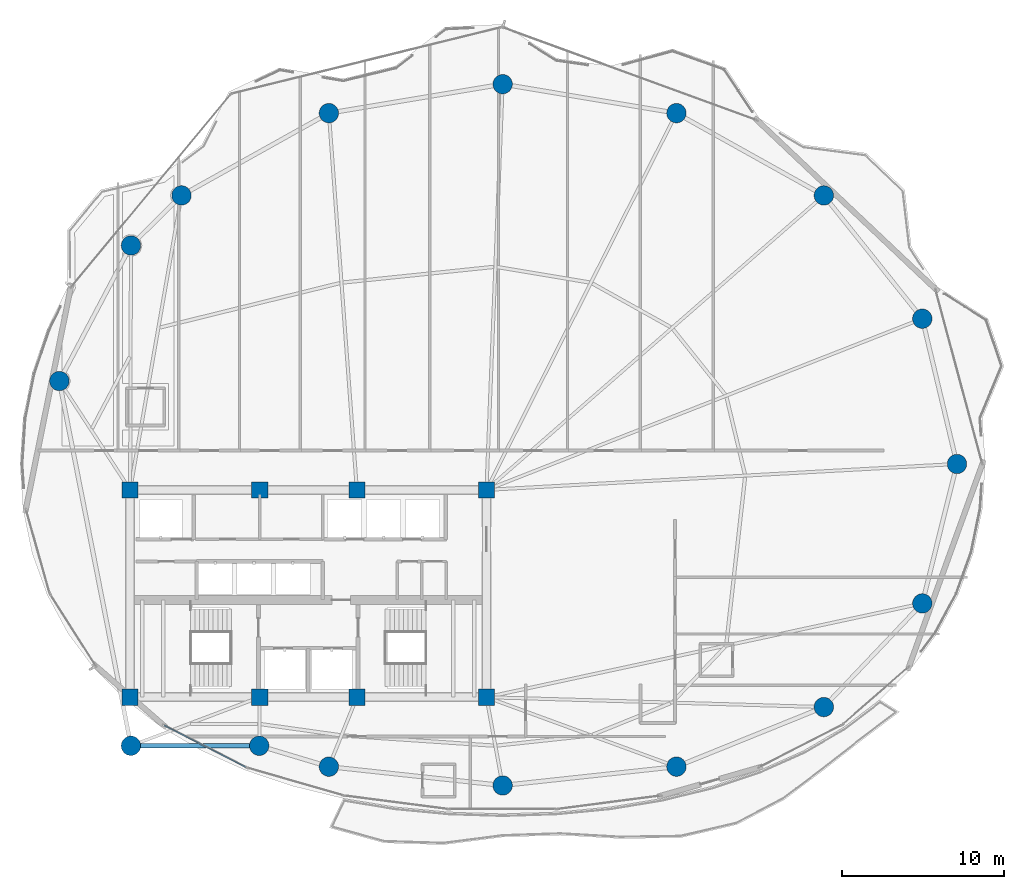
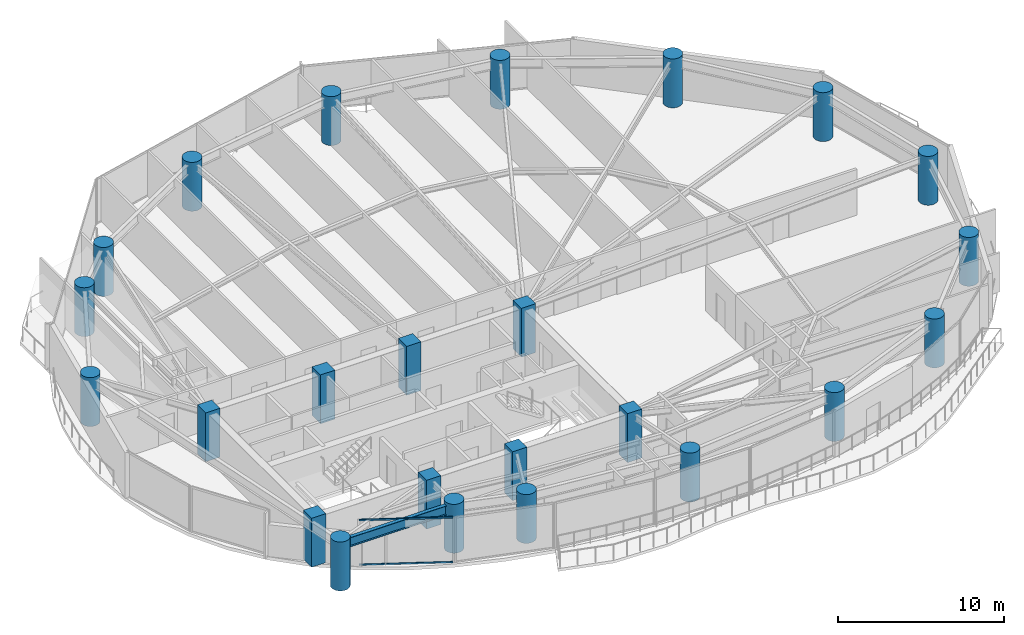
# One storey, part 1 of 28: 24 columns, 2 members, 1 beam, 1 element without a shape of its own.
"""IFC4 building model written with IfcOpenShell, lengths in metres."""

from ifc_helpers import new_model, si_unit, direction, frame, origin, origin_2d, place, context, subcontext, project, spatial, rectangle, hollow_rectangle, circle, i_section, extrude, material, layer, layer_set, material_profile, profile_set, type_object, element, aggregate, save


model = new_model("IFC4")

# Units and contexts
model_context = context("Model", 3, precision=1e-05, world=origin(), true_north=direction((0.0, 1.0)))
body_context = subcontext(model_context, "Body", "Model", "MODEL_VIEW")
ifc_project = project(units=[si_unit("LENGTHUNIT", "METRE"), si_unit("AREAUNIT", "SQUARE_METRE"), si_unit("VOLUMEUNIT", "CUBIC_METRE"), si_unit("PLANEANGLEUNIT", "RADIAN"), si_unit("MASSUNIT", "GRAM", prefix="KILO")], contexts=[model_context])

# Site, building, storey
site_placement = place(None, origin())
site = spatial("IfcSite", under=ifc_project, at=site_placement, CompositionType="ELEMENT")
building_placement = place(site_placement, origin())
building = spatial("IfcBuilding", under=site, at=building_placement, Name="Kazevale Care Tower and Concert Hall", CompositionType="ELEMENT")
storey_placement = place(building_placement, frame((0.0, 0.0, 120.60009765625)))
storey = spatial("IfcBuildingStorey", under=building, at=storey_placement, Name="L31", CompositionType="ELEMENT", Elevation=120.60009765625)

# Columns
ifc_material_1 = material(Name="Concrete C60", Category="concrete")
ifc_material_profile_1 = material_profile(ifc_material_1, rectangle(XDim=1.0, YDim=1.0, at=origin_2d()), Name="RC-SQ1000")
ifc_profile_set_1 = profile_set([ifc_material_profile_1], Name="Concrete C60")
column_type_1 = type_object("IfcColumnType", Name="Core Column SQ1000 C60", PredefinedType="COLUMN", material=ifc_profile_set_1)
for number, where, z_axis, x_axis, name in (
    (1, (22.0, 23.60009765625, 0.0), (0.0, 0.0, 1.0), (1.0, 0.0, 0.0), "col:L31:CC-01"),
    (2, (30.0, 23.60009765625, 0.0), (0.0, 0.0, 1.0), (1.0, 0.0, 0.0), "col:L31:CC-02"),
    (3, (36.0, 23.60009765625, 0.0), (0.0, 0.0, 1.0), (1.0, 0.0, 0.0), "col:L31:CC-03"),
    (4, (44.0, 23.60009765625, 0.0), (0.0, 0.0, 1.0), (1.0, 0.0, 0.0), "col:L31:CC-04"),
    (5, (44.0, 36.39990234375, 0.0), (0.0, 0.0, 1.0), (1.0, 0.0, 0.0), "col:L31:CC-05"),
    (6, (36.0, 36.39990234375, 0.0), (0.0, 0.0, 1.0), (1.0, 0.0, 0.0), "col:L31:CC-06"),
    (7, (30.0, 36.39990234375, 0.0), (0.0, 0.0, 1.0), (1.0, 0.0, 0.0), "col:L31:CC-07"),
    (8, (22.0, 36.39990234375, 0.0), (0.0, 0.0, 1.0), (1.0, 0.0, 0.0), "col:L31:CC-08"),
):
    element("IfcColumn", number, at=place(storey_placement, frame(where, z_axis=z_axis, x_axis=x_axis)), inside=storey, type_object=column_type_1, Name=name, PredefinedType="COLUMN", context=body_context, shape_type="SweptSolid", body=[
        extrude(rectangle(XDim=1.0, YDim=1.0, at=origin_2d()), origin(), (0.0, 0.0, 1.0), 3.599853515625),
    ])
ifc_material_profile_2 = material_profile(ifc_material_1, circle(Radius=0.60009765625, at=origin_2d()), Name="RC-CIR1200")
ifc_profile_set_2 = profile_set([ifc_material_profile_2], Name="Concrete C60")
column_type_2 = type_object("IfcColumnType", Name="Perimeter Column CIR1200 C60", PredefinedType="COLUMN", material=ifc_profile_set_2)
for number, where, z_axis, x_axis, name in (
    (9, (73.050048828125, 38.0, 0.0), (0.0, 0.0, 1.0), (1.0, 0.0, 0.0), "col:L31:PC-01"),
    (10, (70.909912109375, 46.969970703125, 0.0), (0.0, 0.0, 1.0), (1.0, 0.0, 0.0), "col:L31:PC-02"),
    (11, (64.830078125, 54.580078125, 0.0), (0.0, 0.0, 1.0), (1.0, 0.0, 0.0), "col:L31:PC-03"),
    (12, (55.72998046875, 59.659912109375, 0.0), (0.0, 0.0, 1.0), (1.0, 0.0, 0.0), "col:L31:PC-04"),
    (13, (45.0, 61.449951171875, 0.0), (0.0, 0.0, 1.0), (1.0, 0.0, 0.0), "col:L31:PC-05"),
    (14, (34.27001953125, 59.659912109375, 0.0), (0.0, 0.0, 1.0), (1.0, 0.0, 0.0), "col:L31:PC-06"),
    (15, (25.169921875, 54.580078125, 0.0), (0.0, 0.0, 1.0), (1.0, 0.0, 0.0), "col:L31:PC-07"),
    (16, (22.050048828125, 51.489990234375, 0.0), (0.0, 0.0, 1.0), (1.0, 0.0, 0.0), "col:L31:PC-08"),
    (17, (17.6298828125, 43.1201171875, 0.0), (0.0, 0.0, 1.0), (1.0, 0.0, 0.0), "col:L31:PC-09"),
    (18, (22.050048828125, 20.60009765625, 0.0), (0.0, 0.0, 1.0), (1.0, 0.0, 0.0), "col:L31:PC-10"),
    (19, (29.969970703125, 20.60009765625, 0.0), (0.0, 0.0, 1.0), (1.0, 0.0, 0.0), "col:L31:PC-11"),
    (20, (34.27001953125, 19.31005859375, 0.0), (0.0, 0.0, 1.0), (1.0, 0.0, 0.0), "col:L31:PC-12"),
    (21, (45.0, 18.14990234375, 0.0), (0.0, 0.0, 1.0), (1.0, 0.0, 0.0), "col:L31:PC-13"),
    (22, (55.72998046875, 19.31005859375, 0.0), (0.0, 0.0, 1.0), (1.0, 0.0, 0.0), "col:L31:PC-14"),
    (23, (64.830078125, 22.989990234375, 0.0), (0.0, 0.0, 1.0), (1.0, 0.0, 0.0), "col:L31:PC-15"),
    (24, (70.909912109375, 29.389892578125, 0.0), (0.0, 0.0, 1.0), (1.0, 0.0, 0.0), "col:L31:PC-16"),
):
    element("IfcColumn", number, at=place(storey_placement, frame(where, z_axis=z_axis, x_axis=x_axis)), inside=storey, type_object=column_type_2, Name=name, PredefinedType="COLUMN", context=body_context, shape_type="SweptSolid", body=[
        extrude(circle(Radius=0.60009765625, at=origin_2d()), origin(), (0.0, 0.0, 1.0), 3.599853515625),
    ])

# Curtain wall, members
ifc_material_2 = material(Name="Aluminium 6063-T6 and Low-E Glass", Category="aluminium")
ifc_layer = layer(ifc_material_2, 0.179931640625)
ifc_layer_set = layer_set([ifc_layer], Name="Aluminium 6063-T6 and Low-E Glass")
curtain_wall_type = type_object("IfcCurtainWallType", Name="Sheltered Concave Balcony Curtain Wall CW-5", PredefinedType="NOTDEFINED", material=ifc_layer_set)
curtain_wall_placement = place(storey_placement, origin())
curtain_wall = element("IfcCurtainWall", 25, at=curtain_wall_placement, inside=storey, type_object=curtain_wall_type, Name="cw:L31:f09", PredefinedType="NOTDEFINED")
ifc_material_3 = material(Name="Aluminium 6063-T6", Category="aluminium")
ifc_material_profile_3 = material_profile(ifc_material_3, hollow_rectangle(XDim=0.074951171875, YDim=0.1201171875, WallThickness=0.00390625, at=origin_2d()), Name="ALU75x120x4")
ifc_profile_set_3 = profile_set([ifc_material_profile_3], Name="Aluminium 6063-T6")
member_type = type_object("IfcMemberType", Name="CW-5 Transom ALU75x120x4", PredefinedType="USERDEFINED", material=ifc_profile_set_3)
member_1_placement = place(storey_placement, frame((29.144287109375, 19.279296875, 0.037353515625), z_axis=(-0.890142600475, 0.455682072084, 0.0), x_axis=(-0.455682072084, -0.890142600475, 0.0)))
member_1 = element("IfcMember", 26, at=member_1_placement, type_object=member_type, Name="CW-5 transom 1.1", ObjectType="TRANSOM", PredefinedType="USERDEFINED", context=body_context, shape_type="SweptSolid", body=[
    extrude(hollow_rectangle(XDim=0.074951171875, YDim=0.1201171875, WallThickness=0.00390625, at=origin_2d()), origin(), (0.0, 0.0, 1.0), 5.671630859375),
])
member_2_placement = place(storey_placement, frame((29.144287109375, 19.279296875, 3.322509765625), z_axis=(-0.890142600475, 0.455682072084, 0.0), x_axis=(-0.455682072084, -0.890142600475, 0.0)))
member_2 = element("IfcMember", 27, at=member_2_placement, type_object=member_type, Name="CW-5 transom 1.2", ObjectType="TRANSOM", PredefinedType="USERDEFINED", context=body_context, shape_type="SweptSolid", body=[
    extrude(hollow_rectangle(XDim=0.074951171875, YDim=0.1201171875, WallThickness=0.00390625, at=origin_2d()), origin(), (0.0, 0.0, 1.0), 5.671630859375),
])
aggregate(curtain_wall, [member_1, member_2])

# Beam
ifc_material_4 = material(Name="Steel ASTM A572 Gr 50", Category="steel")
ifc_material_profile_4 = material_profile(ifc_material_4, i_section(OverallWidth=0.256103515625, OverallDepth=0.693115234375, WebThickness=0.014404296875, FlangeThickness=0.023681640625, at=origin_2d()), Name="W690x170")
ifc_profile_set_4 = profile_set([ifc_material_profile_4], Name="Steel ASTM A572 Gr 50")
beam_type = type_object("IfcBeamType", Name="Waist Ring Beam W690x170", PredefinedType="BEAM", material=ifc_profile_set_4)
beam_placement = place(storey_placement, frame((22.050048828125, 20.60009765625, 3.013427734375), z_axis=(1.0, 0.0, 0.0), x_axis=(0.0, 1.0, 0.0)))
element("IfcBeam", 28, at=beam_placement, inside=storey, type_object=beam_type, Name="beam:L31:ring:10", PredefinedType="BEAM", context=body_context, shape_type="SweptSolid", body=[
    extrude(i_section(OverallWidth=0.256103515625, OverallDepth=0.693115234375, WebThickness=0.014404296875, FlangeThickness=0.023681640625, at=origin_2d()), origin(), (0.0, 0.0, 1.0), 7.919921875),
])

save(model, "model.ifc")
